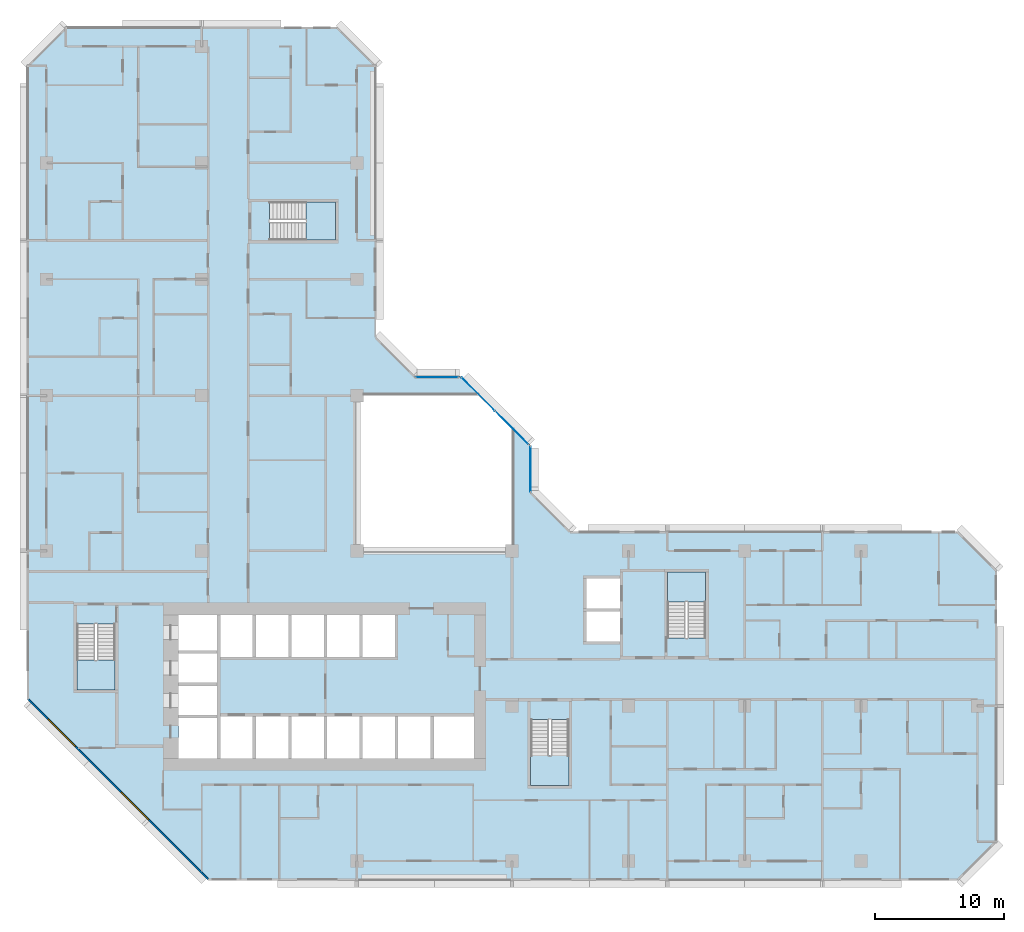
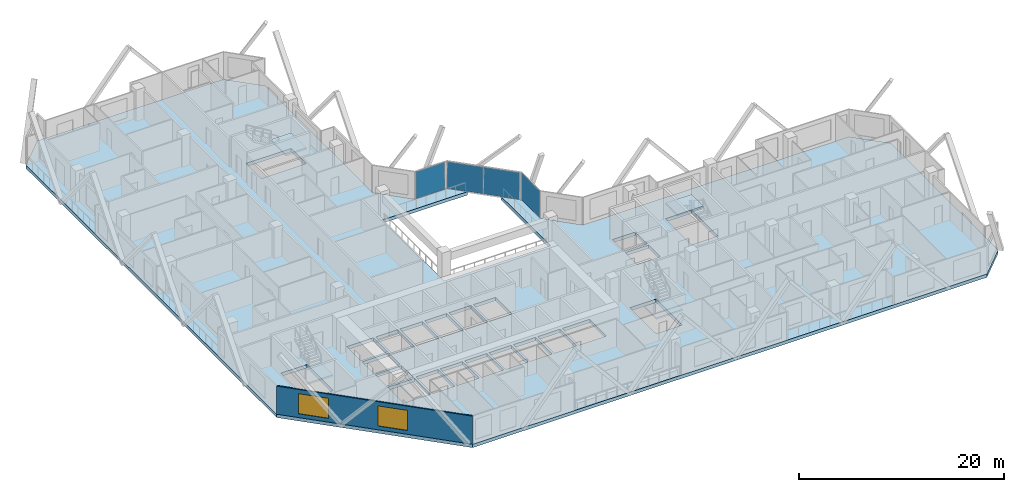
# One storey, part 3 of 15: 5 slabs, 4 plates, 2 windows, 1 wall, 2 openings, 7 elements without a shape of their own.
"""IFC4 building model written with IfcOpenShell, lengths in metres."""

from ifc_helpers import new_model, si_unit, direction, frame, frame_2d, origin, origin_2d, place, context, subcontext, project, spatial, polyline, rectangle, outline, extrude, material, layer, layer_set, type_object, element, fill, aggregate, save


model = new_model("IFC4")

# Units and contexts
model_context = context("Model", 3, precision=1e-05, world=origin(), true_north=direction((0.0, 1.0)))
body_context = subcontext(model_context, "Body", "Model", "MODEL_VIEW")
ifc_project = project(units=[si_unit("LENGTHUNIT", "METRE"), si_unit("AREAUNIT", "SQUARE_METRE"), si_unit("VOLUMEUNIT", "CUBIC_METRE"), si_unit("PLANEANGLEUNIT", "RADIAN"), si_unit("MASSUNIT", "GRAM", prefix="KILO")], contexts=[model_context])

# Site, building, storey
site_placement = place(None, origin())
site = spatial("IfcSite", under=ifc_project, at=site_placement, CompositionType="ELEMENT")
building_placement = place(site_placement, origin())
building = spatial("IfcBuilding", under=site, at=building_placement, Name="Chenar Terraces", CompositionType="ELEMENT")
storey_placement = place(building_placement, frame((0.0, 0.0, 106.89990234375)))
storey = spatial("IfcBuildingStorey", under=building, at=storey_placement, Name="L24", CompositionType="ELEMENT", Elevation=106.89990234375)

# Curtain wall, plate
ifc_material_1 = material(Name="Aluminium framed glazing", Category="aluminium")
ifc_layer_1 = layer(ifc_material_1, 0.14990234375)
ifc_layer_set_1 = layer_set([ifc_layer_1], Name="Aluminium framed glazing")
curtain_wall_type = type_object("IfcCurtainWallType", Name="Atrium curtain wall", PredefinedType="NOTDEFINED", material=ifc_layer_set_1)
placement_1 = place(storey_placement, origin())
curtain_wall_1 = element("IfcCurtainWall", 1, at=placement_1, inside=storey, type_object=curtain_wall_type, Name="Atrium curtain wall", PredefinedType="NOTDEFINED")
ifc_material_2 = material(Name="Low emissivity laminated glass, solar control coating", Category="glass")
ifc_layer_2 = layer(ifc_material_2, 0.028076171875)
ifc_layer_set_2 = layer_set([ifc_layer_2], Name="Low emissivity laminated glass, solar control coating")
plate_type = type_object("IfcPlateType", Name="Atrium glazing panel 28", PredefinedType="CURTAIN_PANEL", material=ifc_layer_set_2)
plate_1_placement = place(storey_placement, frame((37.425048828125, 30.300048828125, 0.06005859375), z_axis=(0.0, 0.0, 1.0), x_axis=(0.0, 1.0, 0.0)))
plate_1 = element("IfcPlate", 2, at=plate_1_placement, type_object=plate_type, Name="CW1-1 panel 1.1", PredefinedType="CURTAIN_PANEL", context=body_context, shape_type="SweptSolid", body=[
    extrude(rectangle(XDim=3.47998046875, YDim=0.028076171875, at=origin_2d()), origin(), (0.0, 0.0, 1.0), 3.22998046875),
])
aggregate(curtain_wall_1, [plate_1])

# Curtain wall, plates
curtain_wall_2 = element("IfcCurtainWall", 3, at=placement_1, inside=storey, type_object=curtain_wall_type, Name="Atrium curtain wall", PredefinedType="NOTDEFINED")
plate_2_placement = place(storey_placement, frame((35.980224609375, 33.513671875, 0.06005859375), z_axis=(0.0, 0.0, 1.0), x_axis=(-0.707106781187, 0.707106781187, 0.0)))
plate_2 = element("IfcPlate", 4, at=plate_2_placement, type_object=plate_type, Name="CW1-2 panel 1.1", PredefinedType="CURTAIN_PANEL", context=body_context, shape_type="SweptSolid", body=[
    extrude(rectangle(XDim=3.62841796875, YDim=0.028076171875, at=origin_2d()), origin(), (0.0, 0.0, 1.0), 3.22998046875),
])
plate_3_placement = place(storey_placement, frame((33.3720703125, 36.121826171875, 0.06005859375), z_axis=(0.0, 0.0, 1.0), x_axis=(-0.707106781187, 0.707106781187, 0.0)))
plate_3 = element("IfcPlate", 5, at=plate_3_placement, type_object=plate_type, Name="CW1-2 panel 2.1", PredefinedType="CURTAIN_PANEL", context=body_context, shape_type="SweptSolid", body=[
    extrude(rectangle(XDim=3.62841796875, YDim=0.028076171875, at=origin_2d()), origin(), (0.0, 0.0, 1.0), 3.22998046875),
])
aggregate(curtain_wall_2, [plate_2, plate_3])

# Curtain wall, plate
curtain_wall_3 = element("IfcCurtainWall", 6, at=placement_1, inside=storey, type_object=curtain_wall_type, Name="Atrium curtain wall", PredefinedType="NOTDEFINED")
plate_4_placement = place(storey_placement, frame((30.199951171875, 37.425048828125, 0.06005859375), z_axis=(0.0, 0.0, 1.0), x_axis=(-1.0, 0.0, 0.0)))
plate_4 = element("IfcPlate", 7, at=plate_4_placement, type_object=plate_type, Name="CW1-3 panel 1.1", PredefinedType="CURTAIN_PANEL", context=body_context, shape_type="SweptSolid", body=[
    extrude(rectangle(XDim=3.280029296875, YDim=0.028076171875, at=origin_2d()), origin(), (0.0, 0.0, 1.0), 3.22998046875),
])
aggregate(curtain_wall_3, [plate_4])

# Stair, slab
ifc_material_3 = material(Name="Reinforced concrete C40/50", Category="concrete")
stair_type = type_object("IfcStairType", Name="Core stair 1400 half-turn", PredefinedType="HALF_TURN_STAIR", material=ifc_material_3)
stair_1 = element("IfcStair", 8, at=placement_1, inside=storey, type_object=stair_type, Name="L24 Stair 1", PredefinedType="HALF_TURN_STAIR")
ifc_material_4 = material(Name="Reinforced concrete C40/50", Category="concrete")
ifc_layer_3 = layer(ifc_material_4, 0.199951171875)
ifc_layer_set_3 = layer_set([ifc_layer_3], Name="Reinforced concrete C40/50")
slab_type_1 = type_object("IfcSlabType", Name="Core stair landing 200", PredefinedType="LANDING", material=ifc_layer_set_3)
placement_2 = place(storey_placement, frame((0.0, 0.0, 1.675048828125)))
slab_1 = element("IfcSlab", 9, at=placement_2, type_object=slab_type_1, Name="ST1 landing 1", PredefinedType="LANDING", context=body_context, shape_type="SweptSolid", body=[
    extrude(outline(polyline([(2.35009765625, 15.550048828125), (2.35009765625, 13.25), (5.300048828125, 13.25), (5.300048828125, 15.550048828125), (2.35009765625, 15.550048828125)])), origin(), (0.0, 0.0, 1.0), 0.199951171875),
])
aggregate(stair_1, [slab_1])

stair_2 = element("IfcStair", 10, at=placement_1, inside=storey, type_object=stair_type, Name="L24 Stair 2", PredefinedType="HALF_TURN_STAIR")
slab_2 = element("IfcSlab", 11, at=placement_2, type_object=slab_type_1, Name="ST2 landing 1", PredefinedType="LANDING", context=body_context, shape_type="SweptSolid", body=[
    extrude(outline(polyline([(37.449951171875, 8.14990234375), (37.449951171875, 5.85009765625), (40.39990234375, 5.85009765625), (40.39990234375, 8.14990234375), (37.449951171875, 8.14990234375)])), origin(), (0.0, 0.0, 1.0), 0.199951171875),
])
aggregate(stair_2, [slab_2])

stair_3 = element("IfcStair", 12, at=placement_1, inside=storey, type_object=stair_type, Name="L24 Stair 3", PredefinedType="HALF_TURN_STAIR")
slab_3 = element("IfcSlab", 13, at=placement_2, type_object=slab_type_1, Name="ST3 landing 1", PredefinedType="LANDING", context=body_context, shape_type="SweptSolid", body=[
    extrude(outline(polyline([(50.97509765625, 20.050048828125), (50.97509765625, 22.35009765625), (48.02490234375, 22.35009765625), (48.02490234375, 20.050048828125), (50.97509765625, 20.050048828125)])), origin(), (0.0, 0.0, 1.0), 0.199951171875),
])
aggregate(stair_3, [slab_3])

stair_4 = element("IfcStair", 14, at=placement_1, inside=storey, type_object=stair_type, Name="L24 Stair 4", PredefinedType="HALF_TURN_STAIR")
slab_4 = element("IfcSlab", 15, at=placement_2, type_object=slab_type_1, Name="ST4 landing 1", PredefinedType="LANDING", context=body_context, shape_type="SweptSolid", body=[
    extrude(outline(polyline([(20.050048828125, 48.02490234375), (22.35009765625, 48.02490234375), (22.35009765625, 50.97509765625), (20.050048828125, 50.97509765625), (20.050048828125, 48.02490234375)])), origin(), (0.0, 0.0, 1.0), 0.199951171875),
])
aggregate(stair_4, [slab_4])

# Slab
ifc_material_5 = material(Name="Concrete C40/50", Category="concrete")
ifc_layer_4 = layer(ifc_material_5, 0.39990234375)
ifc_layer_set_4 = layer_set([ifc_layer_4], Name="Concrete C40/50")
slab_type_2 = type_object("IfcSlabType", Name="Floor slab 400 Concrete C40/50", PredefinedType="FLOOR", material=ifc_layer_set_4)
slab_5_placement = place(storey_placement, frame((0.0, 0.0, -0.39990234375)))
element("IfcSlab", 16, at=slab_5_placement, inside=storey, type_object=slab_type_2, Name="Floor slab L24", PredefinedType="FLOOR", context=body_context, shape_type="SweptSolid", body=[
    extrude(outline(polyline([(73.5, 22.5), (73.5, 1.5), (70.5, -1.5), (12.5, -1.5), (-1.5, 12.5), (-1.5, 61.5), (1.5, 64.5), (22.5, 64.5), (25.5, 61.5), (25.5, 40.5), (28.5, 37.5), (32.10009765625, 37.5), (33.60009765625, 36.0), (24.0, 36.0), (24.0, 24.0), (36.0, 24.0), (36.0, 33.60009765625), (37.5, 32.10009765625), (37.5, 28.5), (40.5, 25.5), (70.5, 25.5), (73.5, 22.5)]), holes=[polyline([(13.199951171875, 11.050048828125), (10.199951171875, 11.050048828125), (10.199951171875, 7.949951171875), (13.199951171875, 7.949951171875), (13.199951171875, 11.050048828125)]), polyline([(15.949951171875, 11.199951171875), (13.449951171875, 11.199951171875), (13.449951171875, 7.949951171875), (15.949951171875, 7.949951171875), (15.949951171875, 11.199951171875)]), polyline([(18.699951171875, 11.199951171875), (16.199951171875, 11.199951171875), (16.199951171875, 7.949951171875), (18.699951171875, 7.949951171875), (18.699951171875, 11.199951171875)]), polyline([(21.449951171875, 7.949951171875), (21.449951171875, 11.199951171875), (18.949951171875, 11.199951171875), (18.949951171875, 7.949951171875), (21.449951171875, 7.949951171875)]), polyline([(13.199951171875, 11.300048828125), (13.199951171875, 13.550048828125), (10.199951171875, 13.550048828125), (10.199951171875, 11.300048828125), (13.199951171875, 11.300048828125)]), polyline([(13.199951171875, 16.050048828125), (10.199951171875, 16.050048828125), (10.199951171875, 13.800048828125), (13.199951171875, 13.800048828125), (13.199951171875, 16.050048828125)]), polyline([(2.35009765625, 18.35009765625), (2.35009765625, 13.25), (5.300048828125, 13.25), (5.300048828125, 18.35009765625), (2.35009765625, 18.35009765625)]), polyline([(15.949951171875, 15.800048828125), (15.949951171875, 19.050048828125), (13.449951171875, 19.050048828125), (13.449951171875, 15.800048828125), (15.949951171875, 15.800048828125)]), polyline([(18.699951171875, 19.050048828125), (16.199951171875, 19.050048828125), (16.199951171875, 15.800048828125), (18.699951171875, 15.800048828125), (18.699951171875, 19.050048828125)]), polyline([(21.449951171875, 15.800048828125), (21.449951171875, 19.050048828125), (18.949951171875, 19.050048828125), (18.949951171875, 15.800048828125), (21.449951171875, 15.800048828125)]), polyline([(13.199951171875, 16.300048828125), (13.199951171875, 19.050048828125), (10.199951171875, 19.050048828125), (10.199951171875, 16.300048828125), (13.199951171875, 16.300048828125)]), polyline([(22.35009765625, 48.02490234375), (22.35009765625, 50.97509765625), (17.25, 50.97509765625), (17.25, 48.02490234375), (22.35009765625, 48.02490234375)]), polyline([(37.449951171875, 10.949951171875), (37.449951171875, 5.85009765625), (40.39990234375, 5.85009765625), (40.39990234375, 10.949951171875), (37.449951171875, 10.949951171875)]), polyline([(24.199951171875, 7.949951171875), (24.199951171875, 11.199951171875), (21.699951171875, 11.199951171875), (21.699951171875, 7.949951171875), (24.199951171875, 7.949951171875)]), polyline([(26.949951171875, 11.199951171875), (24.449951171875, 11.199951171875), (24.449951171875, 7.949951171875), (26.949951171875, 7.949951171875), (26.949951171875, 11.199951171875)]), polyline([(29.699951171875, 7.949951171875), (29.699951171875, 11.199951171875), (27.199951171875, 11.199951171875), (27.199951171875, 7.949951171875), (29.699951171875, 7.949951171875)]), polyline([(33.050048828125, 7.949951171875), (33.050048828125, 11.199951171875), (29.949951171875, 11.199951171875), (29.949951171875, 7.949951171875), (33.050048828125, 7.949951171875)]), polyline([(24.199951171875, 19.050048828125), (21.699951171875, 19.050048828125), (21.699951171875, 15.800048828125), (24.199951171875, 15.800048828125), (24.199951171875, 19.050048828125)]), polyline([(26.949951171875, 15.800048828125), (26.949951171875, 19.050048828125), (24.449951171875, 19.050048828125), (24.449951171875, 15.800048828125), (26.949951171875, 15.800048828125)]), polyline([(44.35009765625, 17.0), (44.35009765625, 19.300048828125), (41.75, 19.300048828125), (41.75, 17.0), (44.35009765625, 17.0)]), polyline([(50.97509765625, 22.35009765625), (48.02490234375, 22.35009765625), (48.02490234375, 17.25), (50.97509765625, 17.25), (50.97509765625, 22.35009765625)]), polyline([(44.35009765625, 19.550048828125), (44.35009765625, 21.85009765625), (41.75, 21.85009765625), (41.75, 19.550048828125), (44.35009765625, 19.550048828125)])]), origin(), (0.0, 0.0, 1.0), 0.39990234375),
])

# Wall, openings, windows
ifc_material_6 = material(Name="Terracotta cladding on insulated backing", Category="masonry")
ifc_layer_5 = layer(ifc_material_6, 0.14990234375)
ifc_layer_set_5 = layer_set([ifc_layer_5], Name="Terracotta cladding on insulated backing")
wall_type = type_object("IfcWallType", Name="Terracotta rainscreen wall 150", PredefinedType="SOLIDWALL", material=ifc_layer_set_5)
wall_placement = place(storey_placement, frame((-1.447021484375, 12.552978515625, 0.0), z_axis=(0.0, 0.0, 1.0), x_axis=(0.707106781187, -0.707106781187, 0.0)))
wall = element("IfcWall", 17, at=wall_placement, inside=storey, type_object=wall_type, Name="Terracotta rainscreen wall", PredefinedType="SOLIDWALL", context=body_context, shape_type="SweptSolid", body=[
    extrude(rectangle(XDim=19.799072265625, YDim=0.14990234375, at=frame_2d((9.8994140625, 0.0))), origin(), (0.0, 0.0, 1.0), 3.35009765625),
])
opening_1_placement = place(wall_placement, frame((2.21240234375, 0.0, 0.449951171875)))
opening_1 = element("IfcOpeningElement", 18, at=opening_1_placement, cuts=wall, Name="Opening W300x240", PredefinedType="OPENING", context=body_context, shape_type="SweptSolid", body=[
    extrude(rectangle(XDim=3.0, YDim=2.39990234375, at=frame_2d((1.5, 1.199951171875))), frame((0.0, 0.0849609375, 0.0), z_axis=(0.0, -1.0, 0.0), x_axis=(1.0, 0.0, 0.0)), (0.0, 0.0, 1.0), 0.169921875),
])
opening_2_placement = place(wall_placement, frame((10.215576171875, 0.0, 0.449951171875)))
opening_2 = element("IfcOpeningElement", 19, at=opening_2_placement, cuts=wall, Name="Opening W300x240", PredefinedType="OPENING", context=body_context, shape_type="SweptSolid", body=[
    extrude(rectangle(XDim=3.0, YDim=2.39990234375, at=frame_2d((1.5, 1.199951171875))), frame((0.0, 0.0849609375, 0.0), z_axis=(0.0, -1.0, 0.0), x_axis=(1.0, 0.0, 0.0)), (0.0, 0.0, 1.0), 0.169921875),
])
ifc_material_7 = material(Name="Low emissivity double glazing, aluminium frame", Category="aluminium")
window_type = type_object("IfcWindowType", Name="Fixed light 3000 x 2400", PartitioningType="SINGLE_PANEL", PredefinedType="WINDOW", material=ifc_material_7)
window_1_placement = place(opening_1_placement, origin())
window_1 = element("IfcWindow", 20, at=window_1_placement, inside=storey, type_object=window_type, Name="Window", OverallHeight=2.39990234375, OverallWidth=3.0, PartitioningType="SINGLE_PANEL", PredefinedType="WINDOW", context=body_context, shape_type="SweptSolid", body=[
    extrude(rectangle(XDim=3.0, YDim=2.39990234375, at=frame_2d((1.5, 1.199951171875))), frame((0.0, 0.030029296875, 0.0), z_axis=(0.0, -1.0, 0.0), x_axis=(1.0, 0.0, 0.0)), (0.0, 0.0, 1.0), 0.06005859375),
])
fill(opening_1, window_1)
window_2_placement = place(opening_2_placement, origin())
window_2 = element("IfcWindow", 21, at=window_2_placement, inside=storey, type_object=window_type, Name="Window", OverallHeight=2.39990234375, OverallWidth=3.0, PartitioningType="SINGLE_PANEL", PredefinedType="WINDOW", context=body_context, shape_type="SweptSolid", body=[
    extrude(rectangle(XDim=3.0, YDim=2.39990234375, at=frame_2d((1.5, 1.199951171875))), frame((0.0, 0.030029296875, 0.0), z_axis=(0.0, -1.0, 0.0), x_axis=(1.0, 0.0, 0.0)), (0.0, 0.0, 1.0), 0.06005859375),
])
fill(opening_2, window_2)

save(model, "model.ifc")
